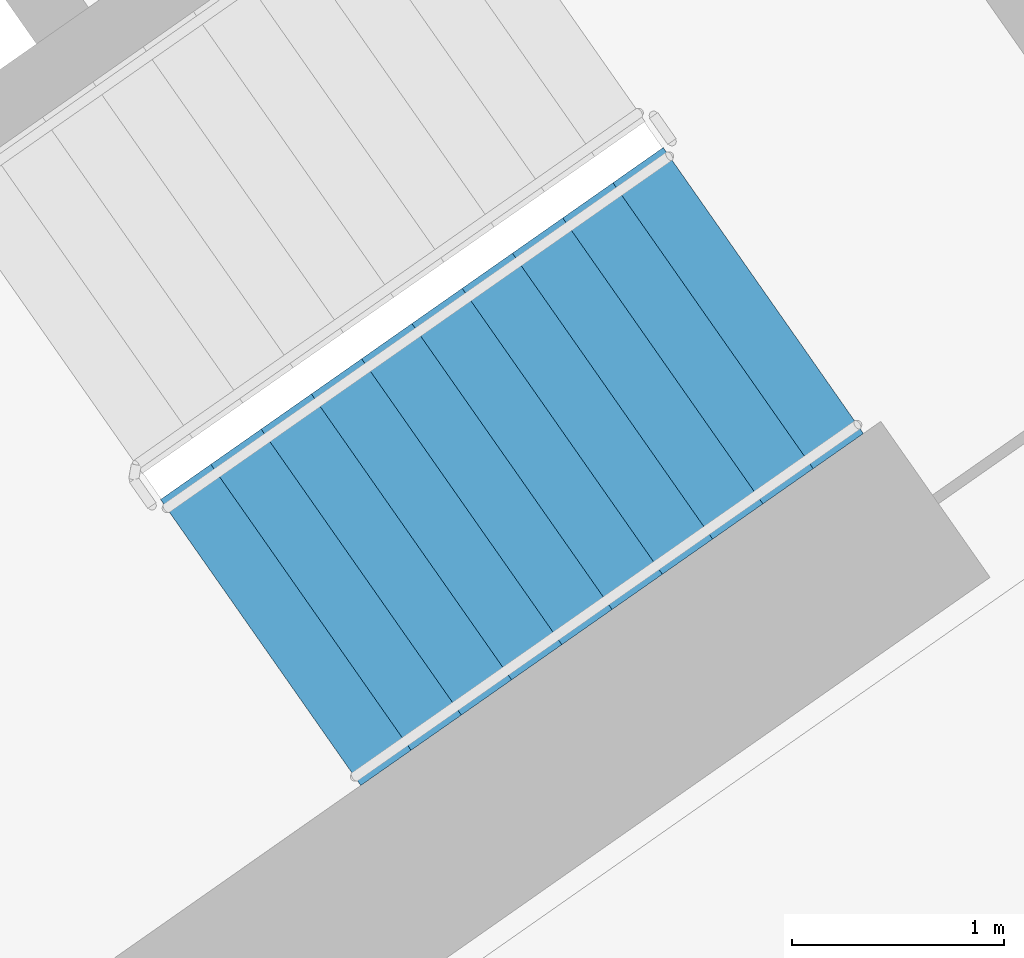
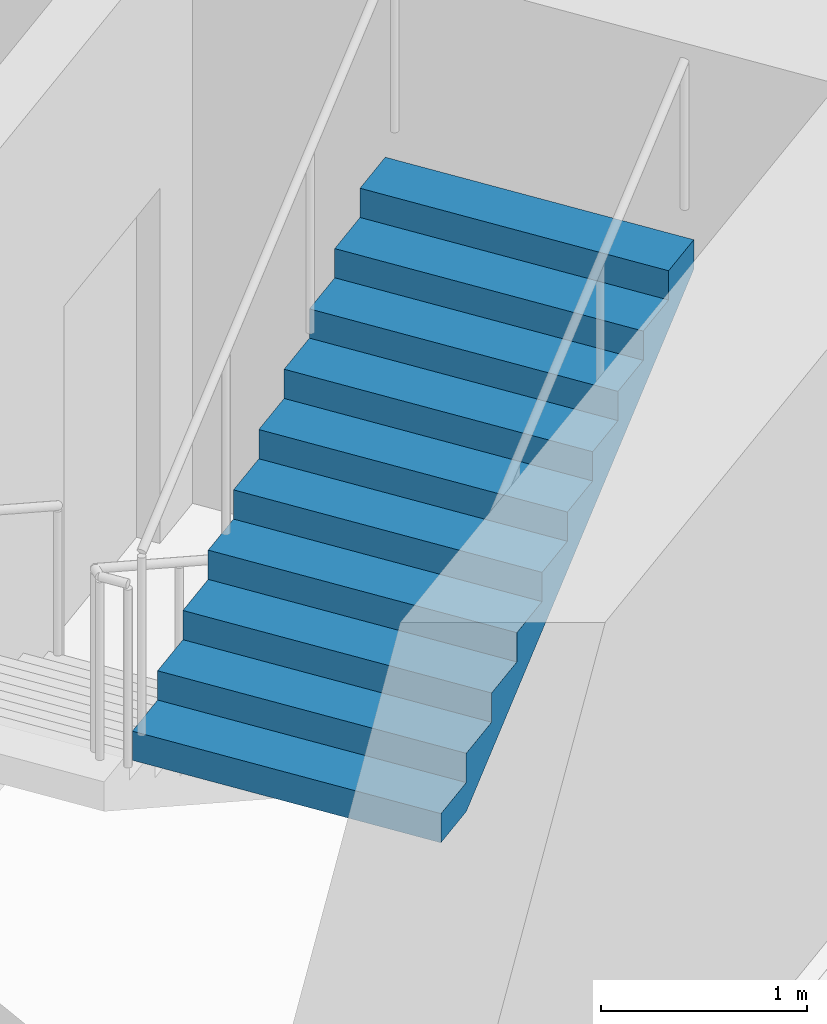
# One storey, part 18 of 30: 1 stair flight, 1 element without a shape of its own.
"""IFC4 building model written with IfcOpenShell, lengths in metres."""

from ifc_helpers import new_model, si_unit, direction, frame, origin, place, context, subcontext, project, spatial, faceted_brep, material, type_object, element, aggregate, save


model = new_model("IFC4")

# Units and contexts
model_context = context("Model", 3, precision=1e-05, world=origin(), true_north=direction((0.0, 1.0)))
body_context = subcontext(model_context, "Body", "Model", "MODEL_VIEW")
ifc_project = project(units=[si_unit("LENGTHUNIT", "METRE"), si_unit("AREAUNIT", "SQUARE_METRE"), si_unit("VOLUMEUNIT", "CUBIC_METRE"), si_unit("PLANEANGLEUNIT", "RADIAN"), si_unit("MASSUNIT", "GRAM", prefix="KILO")], contexts=[model_context])

# Site, building, storey
site_placement = place(None, origin())
site = spatial("IfcSite", under=ifc_project, at=site_placement, CompositionType="ELEMENT")
building_placement = place(site_placement, origin())
building = spatial("IfcBuilding", under=site, at=building_placement, Name="Qamariyya Broadcast Tower", CompositionType="ELEMENT")
storey_placement = place(building_placement, frame((0.0, 0.0, 67.10009765625)))
storey = spatial("IfcBuildingStorey", under=building, at=storey_placement, Name="L13", CompositionType="ELEMENT", Elevation=67.10009765625)

# Stair, stair flight
ifc_material = material(Name="Concrete C50/60", Category="concrete")
stair_type = type_object("IfcStairType", Name="Exit stair 22 risers of 173 mm", PredefinedType="HALF_TURN_STAIR", material=ifc_material)
stair_placement = place(storey_placement, origin())
stair = element("IfcStair", 1, at=stair_placement, inside=storey, type_object=stair_type, Name="L13 Stair E1", PredefinedType="HALF_TURN_STAIR")
stair_flight_type = type_object("IfcStairFlightType", Name="Exit stair flight 11 risers of 173 mm", PredefinedType="STRAIGHT", material=ifc_material)
stair_flight_placement = place(storey_placement, frame((44.693359375, -58.64599609375, 1.89990234375), z_axis=(0.0, 0.0, 1.0), x_axis=(0.819152044289, 0.573576436351, 0.0)))
stair_flight = element("IfcStairFlight", 2, at=stair_flight_placement, type_object=stair_flight_type, Name="ST-E1 flight 2", NumberOfRisers=11, NumberOfTreads=10, PredefinedType="STRAIGHT", RiserHeight=0.172727273, TreadLength=0.29, context=body_context, shape_type="Brep", body=[
    faceted_brep([(0.0, 0.824951171875, 0.0), (0.0, 0.824951171875, 0.172607421875), (0.2900390625, 0.824951171875, 0.172607421875), (0.2900390625, 0.824951171875, 0.345458984375), (0.580078125, 0.824951171875, 0.345458984375), (0.580078125, 0.824951171875, 0.51806640625), (0.8701171875, 0.824951171875, 0.51806640625), (0.8701171875, 0.824951171875, 0.69091796875), (1.159912109375, 0.824951171875, 0.69091796875), (1.159912109375, 0.824951171875, 0.863525390625), (1.449951171875, 0.824951171875, 0.863525390625), (1.449951171875, 0.824951171875, 1.036376953125), (1.739990234375, 0.824951171875, 1.036376953125), (1.739990234375, 0.824951171875, 1.208984375), (2.030029296875, 0.824951171875, 1.208984375), (2.030029296875, 0.824951171875, 1.3818359375), (2.320068359375, 0.824951171875, 1.3818359375), (2.320068359375, 0.824951171875, 1.554443359375), (2.610107421875, 0.824951171875, 1.554443359375), (2.610107421875, 0.824951171875, 1.727294921875), (2.89990234375, 0.824951171875, 1.727294921875), (2.89990234375, 0.824951171875, 1.552734375), (0.29296875, 0.824951171875, 0.0), (0.29296875, -0.824951171875, 0.0), (2.89990234375, -0.824951171875, 1.552734375), (2.89990234375, -0.824951171875, 1.727294921875), (2.610107421875, -0.824951171875, 1.727294921875), (2.610107421875, -0.824951171875, 1.554443359375), (2.320068359375, -0.824951171875, 1.554443359375), (2.320068359375, -0.824951171875, 1.3818359375), (2.030029296875, -0.824951171875, 1.3818359375), (2.030029296875, -0.824951171875, 1.208984375), (1.739990234375, -0.824951171875, 1.208984375), (1.739990234375, -0.824951171875, 1.036376953125), (1.449951171875, -0.824951171875, 1.036376953125), (1.449951171875, -0.824951171875, 0.863525390625), (1.159912109375, -0.824951171875, 0.863525390625), (1.159912109375, -0.824951171875, 0.69091796875), (0.8701171875, -0.824951171875, 0.69091796875), (0.8701171875, -0.824951171875, 0.51806640625), (0.580078125, -0.824951171875, 0.51806640625), (0.580078125, -0.824951171875, 0.345458984375), (0.2900390625, -0.824951171875, 0.345458984375), (0.2900390625, -0.824951171875, 0.172607421875), (0.0, -0.824951171875, 0.172607421875), (0.0, -0.824951171875, 0.0), (0.0, 0.10009765625, 0.0), (0.0, 0.086669921875, 0.0), (0.0, 0.0732421875, 0.0), (0.0, 0.06005859375, 0.0), (0.0, 0.046630859375, 0.0), (0.0, 0.033447265625, 0.0), (0.0, 0.02001953125, 0.0), (0.0, 0.006591796875, 0.0), (0.0, -0.006591796875, 0.0), (0.0, -0.02001953125, 0.0), (0.0, -0.033447265625, 0.0), (0.0, -0.046630859375, 0.0), (0.0, -0.06005859375, 0.0), (0.0, -0.0732421875, 0.0), (0.0, -0.086669921875, 0.0), (0.0, -0.10009765625, 0.0), (0.0, -0.10009765625, 0.172607421875), (0.0, -0.086669921875, 0.172607421875), (0.0, -0.0732421875, 0.172607421875), (0.0, -0.06005859375, 0.172607421875), (0.0, -0.046630859375, 0.172607421875), (0.0, -0.033447265625, 0.172607421875), (0.0, -0.02001953125, 0.172607421875), (0.0, -0.006591796875, 0.172607421875), (0.0, 0.006591796875, 0.172607421875), (0.0, 0.02001953125, 0.172607421875), (0.0, 0.033447265625, 0.172607421875), (0.0, 0.046630859375, 0.172607421875), (0.0, 0.06005859375, 0.172607421875), (0.0, 0.0732421875, 0.172607421875), (0.0, 0.086669921875, 0.172607421875), (0.0, 0.10009765625, 0.172607421875), (0.2900390625, -0.10009765625, 0.172607421875), (0.2900390625, -0.086669921875, 0.172607421875), (0.2900390625, -0.0732421875, 0.172607421875), (0.2900390625, -0.06005859375, 0.172607421875), (0.2900390625, -0.046630859375, 0.172607421875), (0.2900390625, -0.033447265625, 0.172607421875), (0.2900390625, -0.02001953125, 0.172607421875), (0.2900390625, -0.006591796875, 0.172607421875), (0.2900390625, 0.006591796875, 0.172607421875), (0.2900390625, 0.02001953125, 0.172607421875), (0.2900390625, 0.033447265625, 0.172607421875), (0.2900390625, 0.046630859375, 0.172607421875), (0.2900390625, 0.06005859375, 0.172607421875), (0.2900390625, 0.0732421875, 0.172607421875), (0.2900390625, 0.086669921875, 0.172607421875), (0.2900390625, 0.10009765625, 0.172607421875), (0.2900390625, -0.10009765625, 0.345458984375), (0.2900390625, -0.086669921875, 0.345458984375), (0.2900390625, -0.0732421875, 0.345458984375), (0.2900390625, -0.06005859375, 0.345458984375), (0.2900390625, -0.046630859375, 0.345458984375), (0.2900390625, -0.033447265625, 0.345458984375), (0.2900390625, -0.02001953125, 0.345458984375), (0.2900390625, -0.006591796875, 0.345458984375), (0.2900390625, 0.006591796875, 0.345458984375), (0.2900390625, 0.02001953125, 0.345458984375), (0.2900390625, 0.033447265625, 0.345458984375), (0.2900390625, 0.046630859375, 0.345458984375), (0.2900390625, 0.06005859375, 0.345458984375), (0.2900390625, 0.0732421875, 0.345458984375), (0.2900390625, 0.086669921875, 0.345458984375), (0.2900390625, 0.10009765625, 0.345458984375), (0.580078125, -0.10009765625, 0.345458984375), (0.580078125, -0.086669921875, 0.345458984375), (0.580078125, -0.0732421875, 0.345458984375), (0.580078125, -0.06005859375, 0.345458984375), (0.580078125, -0.046630859375, 0.345458984375), (0.580078125, -0.033447265625, 0.345458984375), (0.580078125, -0.02001953125, 0.345458984375), (0.580078125, -0.006591796875, 0.345458984375), (0.580078125, 0.006591796875, 0.345458984375), (0.580078125, 0.02001953125, 0.345458984375), (0.580078125, 0.033447265625, 0.345458984375), (0.580078125, 0.046630859375, 0.345458984375), (0.580078125, 0.06005859375, 0.345458984375), (0.580078125, 0.0732421875, 0.345458984375), (0.580078125, 0.086669921875, 0.345458984375), (0.580078125, 0.10009765625, 0.345458984375), (0.580078125, -0.10009765625, 0.51806640625), (0.580078125, -0.086669921875, 0.51806640625), (0.580078125, -0.0732421875, 0.51806640625), (0.580078125, -0.06005859375, 0.51806640625), (0.580078125, -0.046630859375, 0.51806640625), (0.580078125, -0.033447265625, 0.51806640625), (0.580078125, -0.02001953125, 0.51806640625), (0.580078125, -0.006591796875, 0.51806640625), (0.580078125, 0.006591796875, 0.51806640625), (0.580078125, 0.02001953125, 0.51806640625), (0.580078125, 0.033447265625, 0.51806640625), (0.580078125, 0.046630859375, 0.51806640625), (0.580078125, 0.06005859375, 0.51806640625), (0.580078125, 0.0732421875, 0.51806640625), (0.580078125, 0.086669921875, 0.51806640625), (0.580078125, 0.10009765625, 0.51806640625), (0.8701171875, -0.10009765625, 0.51806640625), (0.8701171875, -0.086669921875, 0.51806640625), (0.8701171875, -0.0732421875, 0.51806640625), (0.8701171875, -0.06005859375, 0.51806640625), (0.8701171875, -0.046630859375, 0.51806640625), (0.8701171875, -0.033447265625, 0.51806640625), (0.8701171875, -0.02001953125, 0.51806640625), (0.8701171875, -0.006591796875, 0.51806640625), (0.8701171875, 0.006591796875, 0.51806640625), (0.8701171875, 0.02001953125, 0.51806640625), (0.8701171875, 0.033447265625, 0.51806640625), (0.8701171875, 0.046630859375, 0.51806640625), (0.8701171875, 0.06005859375, 0.51806640625), (0.8701171875, 0.0732421875, 0.51806640625), (0.8701171875, 0.086669921875, 0.51806640625), (0.8701171875, 0.10009765625, 0.51806640625), (0.8701171875, -0.10009765625, 0.69091796875), (0.8701171875, -0.086669921875, 0.69091796875), (0.8701171875, -0.0732421875, 0.69091796875), (0.8701171875, -0.06005859375, 0.69091796875), (0.8701171875, -0.046630859375, 0.69091796875), (0.8701171875, -0.033447265625, 0.69091796875), (0.8701171875, -0.02001953125, 0.69091796875), (0.8701171875, -0.006591796875, 0.69091796875), (0.8701171875, 0.006591796875, 0.69091796875), (0.8701171875, 0.02001953125, 0.69091796875), (0.8701171875, 0.033447265625, 0.69091796875), (0.8701171875, 0.046630859375, 0.69091796875), (0.8701171875, 0.06005859375, 0.69091796875), (0.8701171875, 0.0732421875, 0.69091796875), (0.8701171875, 0.086669921875, 0.69091796875), (0.8701171875, 0.10009765625, 0.69091796875), (1.159912109375, -0.10009765625, 0.69091796875), (1.159912109375, -0.086669921875, 0.69091796875), (1.159912109375, -0.0732421875, 0.69091796875), (1.159912109375, -0.06005859375, 0.69091796875), (1.159912109375, -0.046630859375, 0.69091796875), (1.159912109375, -0.033447265625, 0.69091796875), (1.159912109375, -0.02001953125, 0.69091796875), (1.159912109375, -0.006591796875, 0.69091796875), (1.159912109375, 0.006591796875, 0.69091796875), (1.159912109375, 0.02001953125, 0.69091796875), (1.159912109375, 0.033447265625, 0.69091796875), (1.159912109375, 0.046630859375, 0.69091796875), (1.159912109375, 0.06005859375, 0.69091796875), (1.159912109375, 0.0732421875, 0.69091796875), (1.159912109375, 0.086669921875, 0.69091796875), (1.159912109375, 0.10009765625, 0.69091796875), (1.159912109375, -0.10009765625, 0.863525390625), (1.159912109375, -0.086669921875, 0.863525390625), (1.159912109375, -0.0732421875, 0.863525390625), (1.159912109375, -0.06005859375, 0.863525390625), (1.159912109375, -0.046630859375, 0.863525390625), (1.159912109375, -0.033447265625, 0.863525390625), (1.159912109375, -0.02001953125, 0.863525390625), (1.159912109375, -0.006591796875, 0.863525390625), (1.159912109375, 0.006591796875, 0.863525390625), (1.159912109375, 0.02001953125, 0.863525390625), (1.159912109375, 0.033447265625, 0.863525390625), (1.159912109375, 0.046630859375, 0.863525390625), (1.159912109375, 0.06005859375, 0.863525390625), (1.159912109375, 0.0732421875, 0.863525390625), (1.159912109375, 0.086669921875, 0.863525390625), (1.159912109375, 0.10009765625, 0.863525390625), (1.449951171875, -0.10009765625, 0.863525390625), (1.449951171875, -0.086669921875, 0.863525390625), (1.449951171875, -0.0732421875, 0.863525390625), (1.449951171875, -0.06005859375, 0.863525390625), (1.449951171875, -0.046630859375, 0.863525390625), (1.449951171875, -0.033447265625, 0.863525390625), (1.449951171875, -0.02001953125, 0.863525390625), (1.449951171875, -0.006591796875, 0.863525390625), (1.449951171875, 0.006591796875, 0.863525390625), (1.449951171875, 0.02001953125, 0.863525390625), (1.449951171875, 0.033447265625, 0.863525390625), (1.449951171875, 0.046630859375, 0.863525390625), (1.449951171875, 0.06005859375, 0.863525390625), (1.449951171875, 0.0732421875, 0.863525390625), (1.449951171875, 0.086669921875, 0.863525390625), (1.449951171875, 0.10009765625, 0.863525390625), (1.449951171875, -0.10009765625, 1.036376953125), (1.449951171875, -0.086669921875, 1.036376953125), (1.449951171875, -0.0732421875, 1.036376953125), (1.449951171875, -0.06005859375, 1.036376953125), (1.449951171875, -0.046630859375, 1.036376953125), (1.449951171875, -0.033447265625, 1.036376953125), (1.449951171875, -0.02001953125, 1.036376953125), (1.449951171875, -0.006591796875, 1.036376953125), (1.449951171875, 0.006591796875, 1.036376953125), (1.449951171875, 0.02001953125, 1.036376953125), (1.449951171875, 0.033447265625, 1.036376953125), (1.449951171875, 0.046630859375, 1.036376953125), (1.449951171875, 0.06005859375, 1.036376953125), (1.449951171875, 0.0732421875, 1.036376953125), (1.449951171875, 0.086669921875, 1.036376953125), (1.449951171875, 0.10009765625, 1.036376953125), (1.739990234375, -0.10009765625, 1.036376953125), (1.739990234375, -0.086669921875, 1.036376953125), (1.739990234375, -0.0732421875, 1.036376953125), (1.739990234375, -0.06005859375, 1.036376953125), (1.739990234375, -0.046630859375, 1.036376953125), (1.739990234375, -0.033447265625, 1.036376953125), (1.739990234375, -0.02001953125, 1.036376953125), (1.739990234375, -0.006591796875, 1.036376953125), (1.739990234375, 0.006591796875, 1.036376953125), (1.739990234375, 0.02001953125, 1.036376953125), (1.739990234375, 0.033447265625, 1.036376953125), (1.739990234375, 0.046630859375, 1.036376953125), (1.739990234375, 0.06005859375, 1.036376953125), (1.739990234375, 0.0732421875, 1.036376953125), (1.739990234375, 0.086669921875, 1.036376953125), (1.739990234375, 0.10009765625, 1.036376953125), (1.739990234375, -0.10009765625, 1.208984375), (1.739990234375, -0.086669921875, 1.208984375), (1.739990234375, -0.0732421875, 1.208984375), (1.739990234375, -0.06005859375, 1.208984375), (1.739990234375, -0.046630859375, 1.208984375), (1.739990234375, -0.033447265625, 1.208984375), (1.739990234375, -0.02001953125, 1.208984375), (1.739990234375, -0.006591796875, 1.208984375), (1.739990234375, 0.006591796875, 1.208984375), (1.739990234375, 0.02001953125, 1.208984375), (1.739990234375, 0.033447265625, 1.208984375), (1.739990234375, 0.046630859375, 1.208984375), (1.739990234375, 0.06005859375, 1.208984375), (1.739990234375, 0.0732421875, 1.208984375), (1.739990234375, 0.086669921875, 1.208984375), (1.739990234375, 0.10009765625, 1.208984375), (2.030029296875, -0.10009765625, 1.208984375), (2.030029296875, -0.086669921875, 1.208984375), (2.030029296875, -0.0732421875, 1.208984375), (2.030029296875, -0.06005859375, 1.208984375), (2.030029296875, -0.046630859375, 1.208984375), (2.030029296875, -0.033447265625, 1.208984375), (2.030029296875, -0.02001953125, 1.208984375), (2.030029296875, -0.006591796875, 1.208984375), (2.030029296875, 0.006591796875, 1.208984375), (2.030029296875, 0.02001953125, 1.208984375), (2.030029296875, 0.033447265625, 1.208984375), (2.030029296875, 0.046630859375, 1.208984375), (2.030029296875, 0.06005859375, 1.208984375), (2.030029296875, 0.0732421875, 1.208984375), (2.030029296875, 0.086669921875, 1.208984375), (2.030029296875, 0.10009765625, 1.208984375), (2.030029296875, -0.10009765625, 1.3818359375), (2.030029296875, -0.086669921875, 1.3818359375), (2.030029296875, -0.0732421875, 1.3818359375), (2.030029296875, -0.06005859375, 1.3818359375), (2.030029296875, -0.046630859375, 1.3818359375), (2.030029296875, -0.033447265625, 1.3818359375), (2.030029296875, -0.02001953125, 1.3818359375), (2.030029296875, -0.006591796875, 1.3818359375), (2.030029296875, 0.006591796875, 1.3818359375), (2.030029296875, 0.02001953125, 1.3818359375), (2.030029296875, 0.033447265625, 1.3818359375), (2.030029296875, 0.046630859375, 1.3818359375), (2.030029296875, 0.06005859375, 1.3818359375), (2.030029296875, 0.0732421875, 1.3818359375), (2.030029296875, 0.086669921875, 1.3818359375), (2.030029296875, 0.10009765625, 1.3818359375), (2.320068359375, -0.10009765625, 1.3818359375), (2.320068359375, -0.086669921875, 1.3818359375), (2.320068359375, -0.0732421875, 1.3818359375), (2.320068359375, -0.06005859375, 1.3818359375), (2.320068359375, -0.046630859375, 1.3818359375), (2.320068359375, -0.033447265625, 1.3818359375), (2.320068359375, -0.02001953125, 1.3818359375), (2.320068359375, -0.006591796875, 1.3818359375), (2.320068359375, 0.006591796875, 1.3818359375), (2.320068359375, 0.02001953125, 1.3818359375), (2.320068359375, 0.033447265625, 1.3818359375), (2.320068359375, 0.046630859375, 1.3818359375), (2.320068359375, 0.06005859375, 1.3818359375), (2.320068359375, 0.0732421875, 1.3818359375), (2.320068359375, 0.086669921875, 1.3818359375), (2.320068359375, 0.10009765625, 1.3818359375), (2.320068359375, -0.10009765625, 1.554443359375), (2.320068359375, -0.086669921875, 1.554443359375), (2.320068359375, -0.0732421875, 1.554443359375), (2.320068359375, -0.06005859375, 1.554443359375), (2.320068359375, -0.046630859375, 1.554443359375), (2.320068359375, -0.033447265625, 1.554443359375), (2.320068359375, -0.02001953125, 1.554443359375), (2.320068359375, -0.006591796875, 1.554443359375), (2.320068359375, 0.006591796875, 1.554443359375), (2.320068359375, 0.02001953125, 1.554443359375), (2.320068359375, 0.033447265625, 1.554443359375), (2.320068359375, 0.046630859375, 1.554443359375), (2.320068359375, 0.06005859375, 1.554443359375), (2.320068359375, 0.0732421875, 1.554443359375), (2.320068359375, 0.086669921875, 1.554443359375), (2.320068359375, 0.10009765625, 1.554443359375), (2.610107421875, -0.10009765625, 1.554443359375), (2.610107421875, -0.086669921875, 1.554443359375), (2.610107421875, -0.0732421875, 1.554443359375), (2.610107421875, -0.06005859375, 1.554443359375), (2.610107421875, -0.046630859375, 1.554443359375), (2.610107421875, -0.033447265625, 1.554443359375), (2.610107421875, -0.02001953125, 1.554443359375), (2.610107421875, -0.006591796875, 1.554443359375), (2.610107421875, 0.006591796875, 1.554443359375), (2.610107421875, 0.02001953125, 1.554443359375), (2.610107421875, 0.033447265625, 1.554443359375), (2.610107421875, 0.046630859375, 1.554443359375), (2.610107421875, 0.06005859375, 1.554443359375), (2.610107421875, 0.0732421875, 1.554443359375), (2.610107421875, 0.086669921875, 1.554443359375), (2.610107421875, 0.10009765625, 1.554443359375), (2.610107421875, -0.10009765625, 1.727294921875), (2.610107421875, -0.086669921875, 1.727294921875), (2.610107421875, -0.0732421875, 1.727294921875), (2.610107421875, -0.06005859375, 1.727294921875), (2.610107421875, -0.046630859375, 1.727294921875), (2.610107421875, -0.033447265625, 1.727294921875), (2.610107421875, -0.02001953125, 1.727294921875), (2.610107421875, -0.006591796875, 1.727294921875), (2.610107421875, 0.006591796875, 1.727294921875), (2.610107421875, 0.02001953125, 1.727294921875), (2.610107421875, 0.033447265625, 1.727294921875), (2.610107421875, 0.046630859375, 1.727294921875), (2.610107421875, 0.06005859375, 1.727294921875), (2.610107421875, 0.0732421875, 1.727294921875), (2.610107421875, 0.086669921875, 1.727294921875), (2.610107421875, 0.10009765625, 1.727294921875), (2.89990234375, -0.10009765625, 1.727294921875), (2.89990234375, -0.086669921875, 1.727294921875), (2.89990234375, -0.0732421875, 1.727294921875), (2.89990234375, -0.06005859375, 1.727294921875), (2.89990234375, -0.046630859375, 1.727294921875), (2.89990234375, -0.033447265625, 1.727294921875), (2.89990234375, -0.02001953125, 1.727294921875), (2.89990234375, -0.006591796875, 1.727294921875), (2.89990234375, 0.006591796875, 1.727294921875), (2.89990234375, 0.02001953125, 1.727294921875), (2.89990234375, 0.033447265625, 1.727294921875), (2.89990234375, 0.046630859375, 1.727294921875), (2.89990234375, 0.06005859375, 1.727294921875), (2.89990234375, 0.0732421875, 1.727294921875), (2.89990234375, 0.086669921875, 1.727294921875), (2.89990234375, 0.10009765625, 1.727294921875), (2.89990234375, -0.10009765625, 1.552734375), (2.89990234375, -0.086669921875, 1.552734375), (2.89990234375, -0.0732421875, 1.552734375), (2.89990234375, -0.06005859375, 1.552734375), (2.89990234375, -0.046630859375, 1.552734375), (2.89990234375, -0.033447265625, 1.552734375), (2.89990234375, -0.02001953125, 1.552734375), (2.89990234375, -0.006591796875, 1.552734375), (2.89990234375, 0.006591796875, 1.552734375), (2.89990234375, 0.02001953125, 1.552734375), (2.89990234375, 0.033447265625, 1.552734375), (2.89990234375, 0.046630859375, 1.552734375), (2.89990234375, 0.06005859375, 1.552734375), (2.89990234375, 0.0732421875, 1.552734375), (2.89990234375, 0.086669921875, 1.552734375), (2.89990234375, 0.10009765625, 1.552734375), (0.29296875, -0.10009765625, 0.0), (0.29296875, -0.086669921875, 0.0), (0.29296875, -0.0732421875, 0.0), (0.29296875, -0.06005859375, 0.0), (0.29296875, -0.046630859375, 0.0), (0.29296875, -0.033447265625, 0.0), (0.29296875, -0.02001953125, 0.0), (0.29296875, -0.006591796875, 0.0), (0.29296875, 0.006591796875, 0.0), (0.29296875, 0.02001953125, 0.0), (0.29296875, 0.033447265625, 0.0), (0.29296875, 0.046630859375, 0.0), (0.29296875, 0.06005859375, 0.0), (0.29296875, 0.0732421875, 0.0), (0.29296875, 0.086669921875, 0.0), (0.29296875, 0.10009765625, 0.0)], [[[0, 1, 2, 3, 4, 5, 6, 7, 8, 9, 10, 11, 12, 13, 14, 15, 16, 17, 18, 19, 20, 21, 22]], [[23, 24, 25, 26, 27, 28, 29, 30, 31, 32, 33, 34, 35, 36, 37, 38, 39, 40, 41, 42, 43, 44, 45]], [[0, 46, 47, 48, 49, 50, 51, 52, 53, 54, 55, 56, 57, 58, 59, 60, 61, 45, 44, 62, 63, 64, 65, 66, 67, 68, 69, 70, 71, 72, 73, 74, 75, 76, 77, 1]], [[1, 77, 76, 75, 74, 73, 72, 71, 70, 69, 68, 67, 66, 65, 64, 63, 62, 44, 43, 78, 79, 80, 81, 82, 83, 84, 85, 86, 87, 88, 89, 90, 91, 92, 93, 2]], [[2, 93, 92, 91, 90, 89, 88, 87, 86, 85, 84, 83, 82, 81, 80, 79, 78, 43, 42, 94, 95, 96, 97, 98, 99, 100, 101, 102, 103, 104, 105, 106, 107, 108, 109, 3]], [[3, 109, 108, 107, 106, 105, 104, 103, 102, 101, 100, 99, 98, 97, 96, 95, 94, 42, 41, 110, 111, 112, 113, 114, 115, 116, 117, 118, 119, 120, 121, 122, 123, 124, 125, 4]], [[4, 125, 124, 123, 122, 121, 120, 119, 118, 117, 116, 115, 114, 113, 112, 111, 110, 41, 40, 126, 127, 128, 129, 130, 131, 132, 133, 134, 135, 136, 137, 138, 139, 140, 141, 5]], [[5, 141, 140, 139, 138, 137, 136, 135, 134, 133, 132, 131, 130, 129, 128, 127, 126, 40, 39, 142, 143, 144, 145, 146, 147, 148, 149, 150, 151, 152, 153, 154, 155, 156, 157, 6]], [[6, 157, 156, 155, 154, 153, 152, 151, 150, 149, 148, 147, 146, 145, 144, 143, 142, 39, 38, 158, 159, 160, 161, 162, 163, 164, 165, 166, 167, 168, 169, 170, 171, 172, 173, 7]], [[7, 173, 172, 171, 170, 169, 168, 167, 166, 165, 164, 163, 162, 161, 160, 159, 158, 38, 37, 174, 175, 176, 177, 178, 179, 180, 181, 182, 183, 184, 185, 186, 187, 188, 189, 8]], [[8, 189, 188, 187, 186, 185, 184, 183, 182, 181, 180, 179, 178, 177, 176, 175, 174, 37, 36, 190, 191, 192, 193, 194, 195, 196, 197, 198, 199, 200, 201, 202, 203, 204, 205, 9]], [[9, 205, 204, 203, 202, 201, 200, 199, 198, 197, 196, 195, 194, 193, 192, 191, 190, 36, 35, 206, 207, 208, 209, 210, 211, 212, 213, 214, 215, 216, 217, 218, 219, 220, 221, 10]], [[10, 221, 220, 219, 218, 217, 216, 215, 214, 213, 212, 211, 210, 209, 208, 207, 206, 35, 34, 222, 223, 224, 225, 226, 227, 228, 229, 230, 231, 232, 233, 234, 235, 236, 237, 11]], [[11, 237, 236, 235, 234, 233, 232, 231, 230, 229, 228, 227, 226, 225, 224, 223, 222, 34, 33, 238, 239, 240, 241, 242, 243, 244, 245, 246, 247, 248, 249, 250, 251, 252, 253, 12]], [[12, 253, 252, 251, 250, 249, 248, 247, 246, 245, 244, 243, 242, 241, 240, 239, 238, 33, 32, 254, 255, 256, 257, 258, 259, 260, 261, 262, 263, 264, 265, 266, 267, 268, 269, 13]], [[13, 269, 268, 267, 266, 265, 264, 263, 262, 261, 260, 259, 258, 257, 256, 255, 254, 32, 31, 270, 271, 272, 273, 274, 275, 276, 277, 278, 279, 280, 281, 282, 283, 284, 285, 14]], [[14, 285, 284, 283, 282, 281, 280, 279, 278, 277, 276, 275, 274, 273, 272, 271, 270, 31, 30, 286, 287, 288, 289, 290, 291, 292, 293, 294, 295, 296, 297, 298, 299, 300, 301, 15]], [[15, 301, 300, 299, 298, 297, 296, 295, 294, 293, 292, 291, 290, 289, 288, 287, 286, 30, 29, 302, 303, 304, 305, 306, 307, 308, 309, 310, 311, 312, 313, 314, 315, 316, 317, 16]], [[16, 317, 316, 315, 314, 313, 312, 311, 310, 309, 308, 307, 306, 305, 304, 303, 302, 29, 28, 318, 319, 320, 321, 322, 323, 324, 325, 326, 327, 328, 329, 330, 331, 332, 333, 17]], [[17, 333, 332, 331, 330, 329, 328, 327, 326, 325, 324, 323, 322, 321, 320, 319, 318, 28, 27, 334, 335, 336, 337, 338, 339, 340, 341, 342, 343, 344, 345, 346, 347, 348, 349, 18]], [[18, 349, 348, 347, 346, 345, 344, 343, 342, 341, 340, 339, 338, 337, 336, 335, 334, 27, 26, 350, 351, 352, 353, 354, 355, 356, 357, 358, 359, 360, 361, 362, 363, 364, 365, 19]], [[19, 365, 364, 363, 362, 361, 360, 359, 358, 357, 356, 355, 354, 353, 352, 351, 350, 26, 25, 366, 367, 368, 369, 370, 371, 372, 373, 374, 375, 376, 377, 378, 379, 380, 381, 20]], [[20, 381, 380, 379, 378, 377, 376, 375, 374, 373, 372, 371, 370, 369, 368, 367, 366, 25, 24, 382, 383, 384, 385, 386, 387, 388, 389, 390, 391, 392, 393, 394, 395, 396, 397, 21]], [[21, 397, 396, 395, 394, 393, 392, 391, 390, 389, 388, 387, 386, 385, 384, 383, 382, 24, 23, 398, 399, 400, 401, 402, 403, 404, 405, 406, 407, 408, 409, 410, 411, 412, 413, 22]], [[22, 413, 412, 411, 410, 409, 408, 407, 406, 405, 404, 403, 402, 401, 400, 399, 398, 23, 45, 61, 60, 59, 58, 57, 56, 55, 54, 53, 52, 51, 50, 49, 48, 47, 46, 0]]]),
])
aggregate(stair, [stair_flight])

save(model, "model.ifc")
